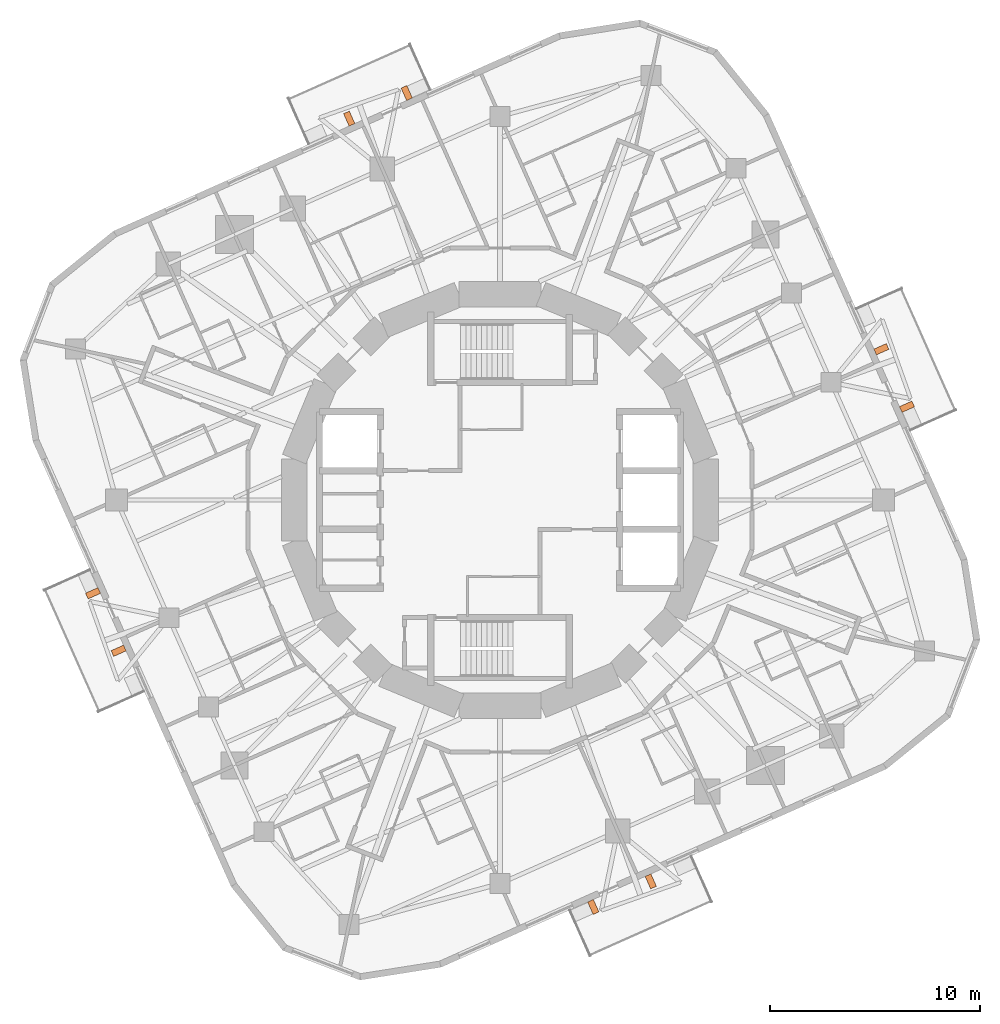
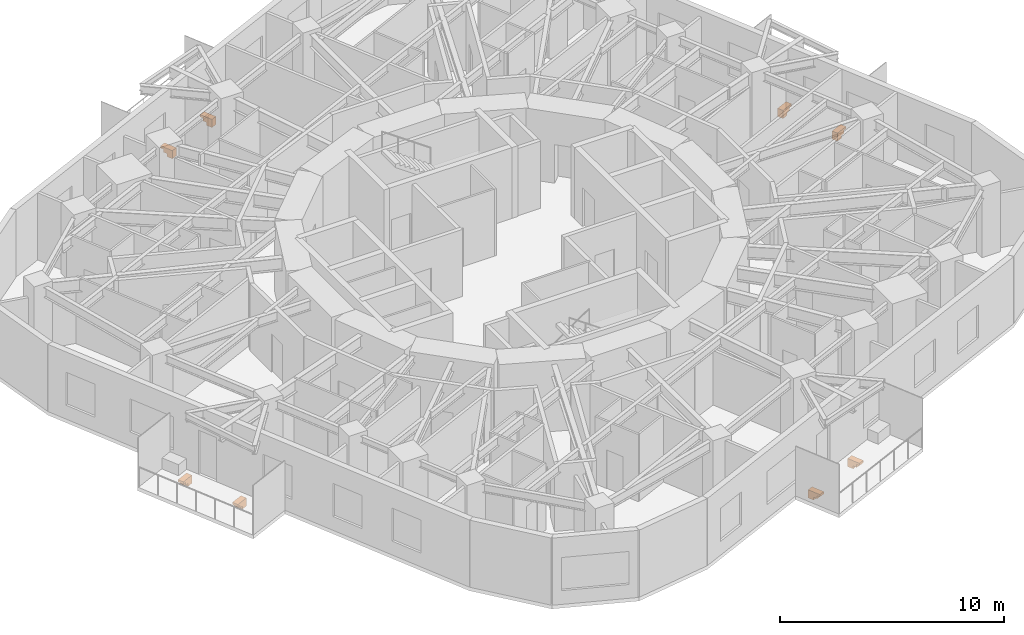
# One storey, part 12 of 12: 8 proxies.
"""IFC4 building model written with IfcOpenShell, lengths in metres."""

import ifcopenshell
import ifcopenshell.guid

model = None  # the IFC model being written
_history = None  # IfcOwnerHistory: only IFC2X3 demands one
_inside = {}  # id of a spatial element -> (the spatial element, [elements in it])
_under = {}  # id of a project, library or spatial element -> (it, [spatial elements below it])
_declared = {}  # id of a project -> (the project, [libraries it declares])
_typed = {}  # id of a type object -> (the type object, [elements of that type])
_made_of = {}  # id of a material, layer set ... -> (it, [elements and type objects made of it])


def new_model(schema):
    """Start an empty IFC model of exactly this schema.

    Asked for "IFC4X3", IfcOpenShell would pick the latest addendum, in which some entities
    have other attributes; the version numbers below select the first issue.
    IFC2X3 requires an IfcOwnerHistory on every rooted entity: one is made here for all.
    """
    global model, _history
    if schema == "IFC4X3":
        model = ifcopenshell.file(schema_version=(4, 3, 0, 0))
    else:
        model = ifcopenshell.file(schema=schema)
    _inside.clear()
    _under.clear()
    _declared.clear()
    _typed.clear()
    _made_of.clear()
    _history = None
    if model.schema == "IFC2X3":
        org = make("IfcOrganization", Name="unknown")
        user = make(
            "IfcPersonAndOrganization",
            ThePerson=make("IfcPerson", FamilyName="unknown"),
            TheOrganization=org,
        )
        app = make(
            "IfcApplication",
            ApplicationDeveloper=org,
            Version="unknown",
            ApplicationFullName="unknown",
            ApplicationIdentifier="unknown",
        )
        _history = make(
            "IfcOwnerHistory",
            OwningUser=user,
            OwningApplication=app,
            ChangeAction="ADDED",
            CreationDate=0,
        )
    return model


def make(cls, **values):
    """One entity of the class cls with the attributes given. An attribute that is None is left unset."""
    return model.create_entity(
        cls, **{name: value for name, value in values.items() if value is not None}
    )


def rooted(cls, **values):
    """An entity with a GlobalId (a new one), such as an element, a storey or a relation."""
    return make(cls, GlobalId=ifcopenshell.guid.new(), OwnerHistory=_history, **values)


def si_unit(unit_type, name, prefix=None):
    """IfcSIUnit, for example si_unit("LENGTHUNIT", "METRE", prefix="MILLI")."""
    return make("IfcSIUnit", UnitType=unit_type, Prefix=prefix, Name=name)


def assignment(units):
    """IfcUnitAssignment: the units of a project."""
    return None if units is None else make("IfcUnitAssignment", Units=units)


def point(xyz):
    """IfcCartesianPoint."""
    return None if xyz is None else make("IfcCartesianPoint", Coordinates=xyz)


def direction(xyz):
    """IfcDirection."""
    return None if xyz is None else make("IfcDirection", DirectionRatios=xyz)


def frame(location, z_axis=None, x_axis=None):
    """IfcAxis2Placement3D, a coordinate frame: its origin and axes. An axis left out is left unset."""
    return make(
        "IfcAxis2Placement3D",
        Location=point(location),
        Axis=direction(z_axis),
        RefDirection=direction(x_axis),
    )


def origin():
    """The frame at (0, 0, 0) with its axes left unset."""
    return frame((0.0, 0.0, 0.0))


def place(relative_to, where):
    """IfcLocalPlacement: puts the frame where relative to a parent placement (None: the world)."""
    return make(
        "IfcLocalPlacement", PlacementRelTo=relative_to, RelativePlacement=where
    )


def context(
    kind, dimensions, precision=None, world=None, true_north=None, identifier=None
):
    """IfcGeometricRepresentationContext, for example the 3D "Model" context."""
    return make(
        "IfcGeometricRepresentationContext",
        ContextIdentifier=identifier,
        ContextType=kind,
        CoordinateSpaceDimension=dimensions,
        Precision=precision,
        WorldCoordinateSystem=world,
        TrueNorth=true_north,
    )


def subcontext(parent, identifier, kind, view, scale=None):
    """IfcGeometricRepresentationSubContext, for example "Body" below "Model"."""
    return make(
        "IfcGeometricRepresentationSubContext",
        ContextIdentifier=identifier,
        ContextType=kind,
        ParentContext=parent,
        TargetScale=scale,
        TargetView=view,
    )


def project(units=None, contexts=None):
    """IfcProject with its units and contexts."""
    return rooted(
        "IfcProject",
        Name="project",
        RepresentationContexts=contexts,
        UnitsInContext=assignment(units),
    )


def spatial(cls, under=None, at=None, **own):
    """A site, building, storey or space (cls), placed at a placement, below another one or the project."""
    s = rooted(cls, ObjectPlacement=at, **own)
    if under is not None:
        _under.setdefault(under.id(), (under, []))[1].append(s)
    return s


def polyline(points):
    """IfcPolyline through the points."""
    return make("IfcPolyline", Points=[point(p) for p in points])


def outline(outer, holes=None, kind="AREA"):
    """IfcArbitraryClosedProfileDef: a profile drawn as a closed curve; with holes, ...WithVoids."""
    if holes is None:
        return make("IfcArbitraryClosedProfileDef", ProfileType=kind, OuterCurve=outer)
    return make(
        "IfcArbitraryProfileDefWithVoids",
        ProfileType=kind,
        OuterCurve=outer,
        InnerCurves=holes,
    )


def extrude(swept, where, along, depth):
    """IfcExtrudedAreaSolid: the profile swept, set in the frame where, extruded along a direction by depth."""
    return make(
        "IfcExtrudedAreaSolid",
        SweptArea=swept,
        Position=where,
        ExtrudedDirection=direction(along),
        Depth=depth,
    )


def shape(context_of_items, identifier, shape_type, items):
    """IfcShapeRepresentation: the items that make up one representation, for example the "Body"."""
    return make(
        "IfcShapeRepresentation",
        ContextOfItems=context_of_items,
        RepresentationIdentifier=identifier,
        RepresentationType=shape_type,
        Items=items,
    )


def material(Name=None, Category=None):
    """IfcMaterial."""
    return make("IfcMaterial", Name=Name, Category=Category)


def made_of(thing, what):
    """Note that an element or type object is made of a material, layer set ...; save() writes the relation."""
    if what is not None:
        _made_of.setdefault(what.id(), (what, []))[1].append(thing)
    return thing


def type_object(cls, material=None, **own):
    """A type object (cls), such as IfcWallType, which elements share."""
    return made_of(rooted(cls, **own), material)


def element(
    cls,
    number,
    at=None,
    inside=None,
    cuts=None,
    type_object=None,
    material=None,
    context=None,
    identifier="Body",
    shape_type=None,
    held_by="IfcProductDefinitionShape",
    body=None,
    shapes=None,
    **own,
):
    """One element of the class cls, such as IfcWall. Its Tag is "e" and its number.

    at: its placement. inside: the storey or other place that contains it. cuts: it is an
    opening in that element (IfcRelVoidsElement). A single representation is given by context,
    identifier, shape_type and body (its items); several are given by shapes. held_by: the class
    of the entity that holds the representations. save() writes the other relations.
    """
    e = rooted(cls, Tag="e%d" % number, ObjectPlacement=at, **own)
    if body is not None:
        shapes = [shape(context, identifier, shape_type, body)]
    if shapes is not None:
        e.Representation = make(held_by, Representations=shapes)
    if inside is not None:
        _inside.setdefault(inside.id(), (inside, []))[1].append(e)
    if cuts is not None:
        rooted(
            "IfcRelVoidsElement", RelatingBuildingElement=cuts, RelatedOpeningElement=e
        )
    if type_object is not None:
        _typed.setdefault(type_object.id(), (type_object, []))[1].append(e)
    return made_of(e, material)


def aggregate(whole, parts):
    """IfcRelAggregates: a whole, such as a stair, and the parts it consists of."""
    return rooted("IfcRelAggregates", RelatingObject=whole, RelatedObjects=parts)


def save(model, path):
    """Write the relations noted so far, then the file.

    IfcRelAggregates (storeys below a building ...), IfcRelContainedInSpatialStructure (elements
    in a storey), IfcRelDefinesByType, IfcRelAssociatesMaterial and IfcRelDeclares: one each for
    every whole, place, type object, material and project.
    """
    for whole, parts in _under.values():
        aggregate(whole, parts)
    for where, things in _inside.values():
        rooted(
            "IfcRelContainedInSpatialStructure",
            RelatedElements=things,
            RelatingStructure=where,
        )
    for kind, things in _typed.values():
        rooted("IfcRelDefinesByType", RelatedObjects=things, RelatingType=kind)
    for what, things in _made_of.values():
        rooted("IfcRelAssociatesMaterial", RelatedObjects=things, RelatingMaterial=what)
    for by, libraries in _declared.values():
        rooted("IfcRelDeclares", RelatingContext=by, RelatedDefinitions=libraries)
    model.write(path)


model = new_model("IFC4")

# Units and contexts
model_context = context("Model", 3, precision=1e-05, world=origin(), true_north=direction((0.0, 1.0)))
body_context = subcontext(model_context, "Body", "Model", "MODEL_VIEW")
ifc_project = project(units=[si_unit("LENGTHUNIT", "METRE"), si_unit("AREAUNIT", "SQUARE_METRE"), si_unit("VOLUMEUNIT", "CUBIC_METRE"), si_unit("PLANEANGLEUNIT", "RADIAN"), si_unit("MASSUNIT", "GRAM", prefix="KILO")], contexts=[model_context])

# Site, building, storey
site_placement = place(None, origin())
site = spatial("IfcSite", under=ifc_project, at=site_placement, CompositionType="ELEMENT")
building_placement = place(site_placement, origin())
building = spatial("IfcBuilding", under=site, at=building_placement, Name="Nakasero Lantern House", CompositionType="ELEMENT")
storey_placement = place(building_placement, frame((0.0, 0.0, 186.300048828125)))
storey = spatial("IfcBuildingStorey", under=building, at=storey_placement, Name="L45", CompositionType="ELEMENT", Elevation=186.300048828125)

# Proxies
ifc_material = material(Name="Concrete C40/50 precast", Category="concrete")
building_element_proxy_type = type_object("IfcBuildingElementProxyType", Name="Balcony bracket 300", PredefinedType="USERDEFINED", material=ifc_material)
for number, where, z_axis, x_axis, name in (
    (1, (19.097412109375, 4.311767578125, -0.199951171875), (0.0, 0.0, 1.0), (0.913545458, 0.406736643, 0.0), "Balcony bracket L45 0A"),
    (2, (17.877197265625, 7.052490234375, -0.199951171875), (0.0, 0.0, 1.0), (0.913545458, 0.406736643, 0.0), "Balcony bracket L45 0B"),
    (3, (-4.311767578125, 19.097412109375, -0.199951171875), (0.0, 0.0, 1.0), (-0.406736643, 0.913545458, 0.0), "Balcony bracket L45 1A"),
    (4, (-7.052490234375, 17.877197265625, -0.199951171875), (0.0, 0.0, 1.0), (-0.406736643, 0.913545458, 0.0), "Balcony bracket L45 1B"),
    (5, (-19.097412109375, -4.311767578125, -0.199951171875), (0.0, 0.0, 1.0), (-0.913545458, -0.406736643, 0.0), "Balcony bracket L45 2A"),
    (6, (-17.877197265625, -7.052490234375, -0.199951171875), (0.0, 0.0, 1.0), (-0.913545458, -0.406736643, 0.0), "Balcony bracket L45 2B"),
    (7, (4.311767578125, -19.097412109375, -0.199951171875), (0.0, 0.0, 1.0), (0.406736643, -0.913545458, 0.0), "Balcony bracket L45 3A"),
    (8, (7.052490234375, -17.877197265625, -0.199951171875), (0.0, 0.0, 1.0), (0.406736643, -0.913545458, 0.0), "Balcony bracket L45 3B"),
):
    element("IfcBuildingElementProxy", number, at=place(storey_placement, frame(where, z_axis=z_axis, x_axis=x_axis)), inside=storey, type_object=building_element_proxy_type, Name=name, ObjectType="BALCONY BRACKET", PredefinedType="USERDEFINED", context=body_context, shape_type="SweptSolid", body=[
        extrude(outline(polyline([(0.0, 0.0), (0.64990234375, 0.0), (0.64990234375, -0.1201171875), (0.5, -0.1201171875), (0.5, -0.280029296875), (0.300048828125, -0.280029296875), (0.300048828125, -0.43994140625), (0.0, -0.43994140625), (0.0, 0.0)])), frame((0.0, 0.14990234375, 0.0), z_axis=(0.0, -1.0, 0.0), x_axis=(1.0, 0.0, 0.0)), (0.0, 0.0, 1.0), 0.300048828125),
    ])

save(model, "model.ifc")
